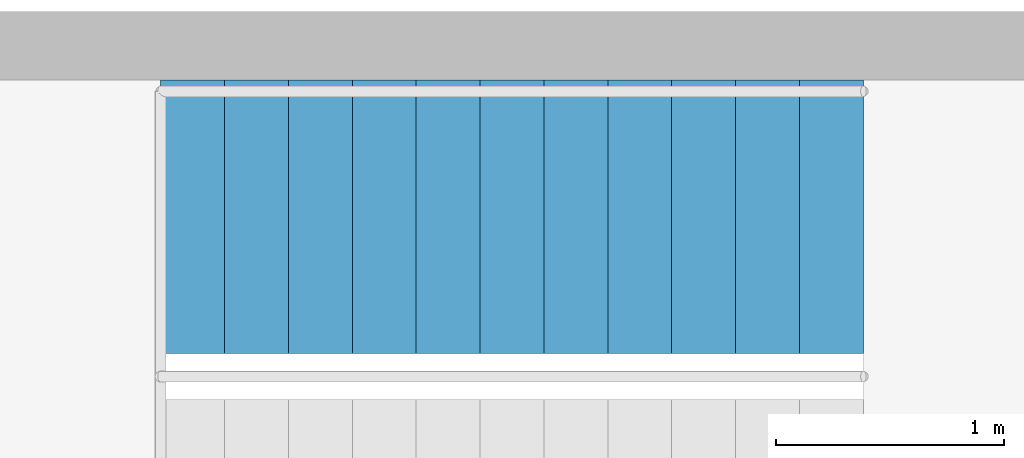
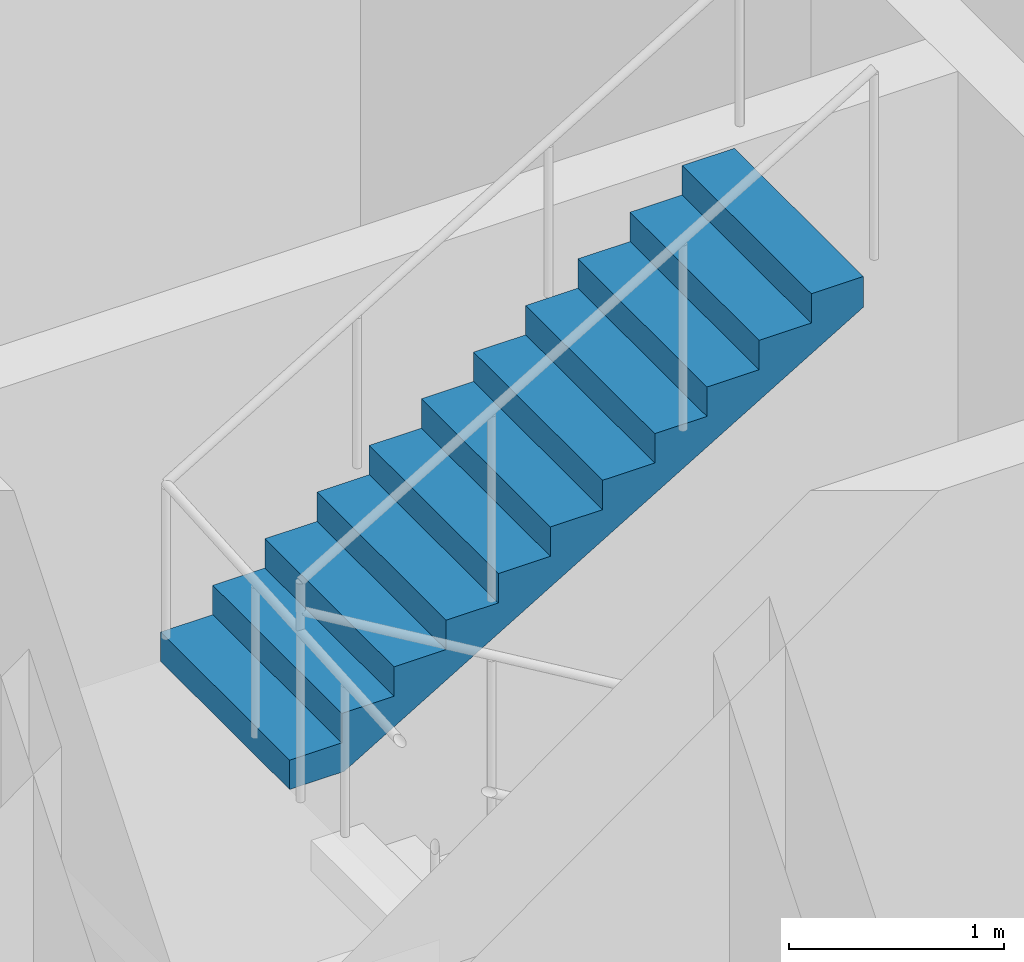
# One storey, part 7 of 14: 1 stair flight, 1 element without a shape of its own.
"""IFC4 building model written with IfcOpenShell, lengths in metres."""

from ifc_helpers import new_model, si_unit, direction, frame, origin, place, context, subcontext, project, spatial, polyline, outline, extrude, material, type_object, element, aggregate, save


model = new_model("IFC4")

# Units and contexts
model_context = context("Model", 3, precision=1e-05, world=origin(), true_north=direction((0.0, 1.0)))
body_context = subcontext(model_context, "Body", "Model", "MODEL_VIEW")
ifc_project = project(units=[si_unit("LENGTHUNIT", "METRE"), si_unit("AREAUNIT", "SQUARE_METRE"), si_unit("VOLUMEUNIT", "CUBIC_METRE"), si_unit("PLANEANGLEUNIT", "RADIAN"), si_unit("MASSUNIT", "GRAM", prefix="KILO")], contexts=[model_context])

# Site, building, storey
site_placement = place(None, origin())
site = spatial("IfcSite", under=ifc_project, at=site_placement, CompositionType="ELEMENT")
building_placement = place(site_placement, origin())
building = spatial("IfcBuilding", under=site, at=building_placement, Name="Entoto Ring Tower", CompositionType="ELEMENT")
storey_placement = place(building_placement, frame((0.0, 0.0, 80.0)))
storey = spatial("IfcBuildingStorey", under=building, at=storey_placement, Name="L17", CompositionType="ELEMENT", Elevation=80.0)

# Stair, stair flight
ifc_material_1 = material(Name="Concrete C40/50", Category="concrete")
stair_type = type_object("IfcStairType", Name="Exit stair 1200 mm dog-leg reinforced concrete", PredefinedType="HALF_TURN_STAIR", material=ifc_material_1)
stair_placement = place(storey_placement, origin())
stair = element("IfcStair", 1, at=stair_placement, inside=storey, type_object=stair_type, Name="Exit stair 1", PredefinedType="HALF_TURN_STAIR")
ifc_material_2 = material(Name="Concrete C40/50", Category="concrete")
stair_flight_type = type_object("IfcStairFlightType", Name="Stair flight 1200 mm reinforced concrete", PredefinedType="STRAIGHT", material=ifc_material_2)
stair_flight_placement = place(storey_placement, frame((96.169921875, 86.949951171875, 2.0), z_axis=(0.0, 0.0, 1.0), x_axis=(1.0, 0.0, 0.0)))
stair_flight = element("IfcStairFlight", 2, at=stair_flight_placement, type_object=stair_flight_type, Name="ST1 flight 2", NumberOfRisers=12, NumberOfTreads=11, PredefinedType="STRAIGHT", RiserHeight=0.166666667, TreadLength=0.28, context=body_context, shape_type="SweptSolid", body=[
    extrude(outline(polyline([(0.0, 0.0), (0.0, 0.166748046875), (0.280029296875, 0.166748046875), (0.280029296875, 0.333251953125), (0.56005859375, 0.333251953125), (0.56005859375, 0.5), (0.840087890625, 0.5), (0.840087890625, 0.666748046875), (1.1201171875, 0.666748046875), (1.1201171875, 0.833251953125), (1.39990234375, 0.833251953125), (1.39990234375, 1.0), (1.679931640625, 1.0), (1.679931640625, 1.166748046875), (1.9599609375, 1.166748046875), (1.9599609375, 1.333251953125), (2.239990234375, 1.333251953125), (2.239990234375, 1.5), (2.52001953125, 1.5), (2.52001953125, 1.666748046875), (2.800048828125, 1.666748046875), (2.800048828125, 1.833251953125), (3.080078125, 1.833251953125), (3.080078125, 2.0), (3.080078125, 1.658935546875), (0.29296875, 0.0), (0.0, 0.0)])), frame((0.0, 0.60009765625, 0.0), z_axis=(0.0, -1.0, 0.0), x_axis=(1.0, 0.0, 0.0)), (0.0, 0.0, 1.0), 1.199951171875),
])
aggregate(stair, [stair_flight])

save(model, "model.ifc")
